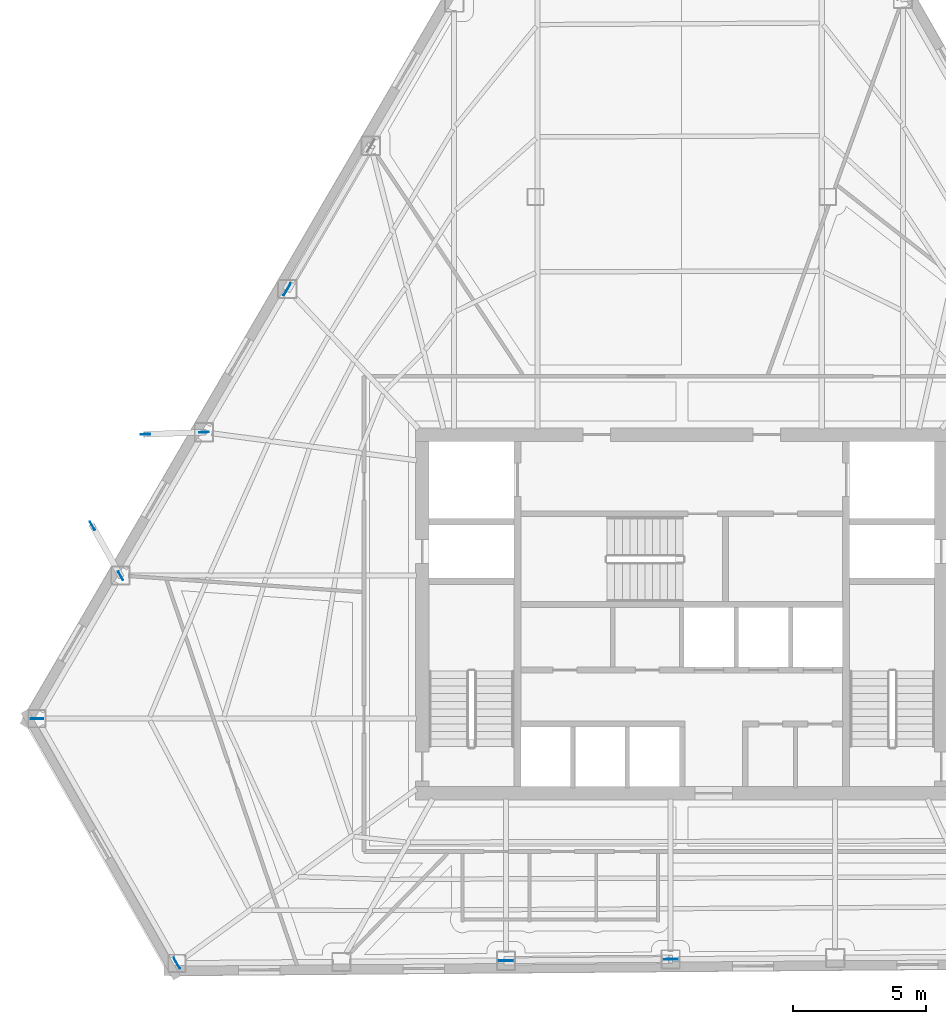
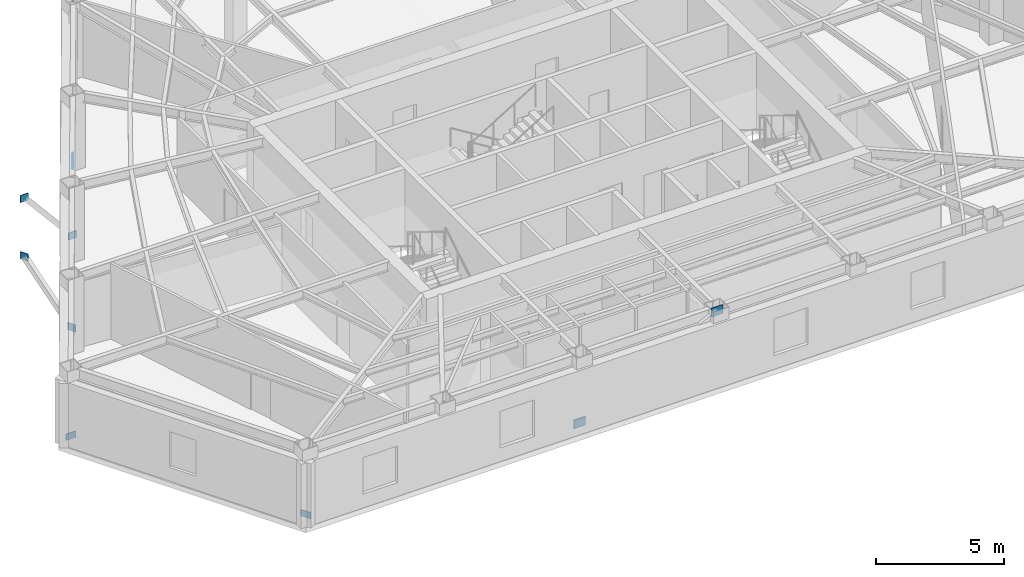
# One storey, part 4 of 12: 9 plates.
"""IFC4 building model written with IfcOpenShell, lengths in metres."""

from ifc_helpers import new_model, si_unit, direction, frame, origin, origin_2d, place, context, subcontext, project, spatial, rectangle, extrude, material, layer, layer_set, type_object, element, save


model = new_model("IFC4")

# Units and contexts
model_context = context("Model", 3, precision=1e-05, world=origin(), true_north=direction((0.0, 1.0)))
body_context = subcontext(model_context, "Body", "Model", "MODEL_VIEW")
ifc_project = project(units=[si_unit("LENGTHUNIT", "METRE"), si_unit("AREAUNIT", "SQUARE_METRE"), si_unit("VOLUMEUNIT", "CUBIC_METRE"), si_unit("PLANEANGLEUNIT", "RADIAN"), si_unit("MASSUNIT", "GRAM", prefix="KILO")], contexts=[model_context])

# Site, building, storey
site_placement = place(None, origin())
site = spatial("IfcSite", under=ifc_project, at=site_placement, CompositionType="ELEMENT")
building_placement = place(site_placement, origin())
building = spatial("IfcBuilding", under=site, at=building_placement, Name="Kavelnor Concourse Tower", CompositionType="ELEMENT")
storey_placement = place(building_placement, frame((0.0, 0.0, 147.10009765625)))
storey = spatial("IfcBuildingStorey", under=building, at=storey_placement, Name="L37", CompositionType="ELEMENT", Elevation=147.10009765625)

# Plates
ifc_material = material(Name="Steel Grade 350", Category="steel")
ifc_layer_1 = layer(ifc_material, 0.028076171875, Name="Steel Grade 350")
ifc_layer_set_1 = layer_set([ifc_layer_1], Name="Steel Grade 350")
plate_type_1 = type_object("IfcPlateType", Name="PL-GUSSET-FOLD", PredefinedType="USERDEFINED", material=ifc_layer_set_1)
for number, where, z_axis, x_axis, name in (
    (1, (13.721435546875, 12.155029296875, 0.10009765625), (0.0, 0.0, 1.0), (1.0, 0.0, 0.0), "L37 Herringbone Corner-Fold Kink Gusset Plate F0-B6"),
    (2, (18.990234375, 2.943359375, 0.10009765625), (0.0, 0.0, 1.0), (-0.5, 0.866025403784, 0.0), "L37 Herringbone Corner-Fold Kink Gusset Plate F1-B0"),
):
    element("IfcPlate", number, at=place(storey_placement, frame(where, z_axis=z_axis, x_axis=x_axis)), inside=storey, type_object=plate_type_1, Name=name, ObjectType="GUSSET_PLATE", PredefinedType="USERDEFINED", context=body_context, shape_type="SweptSolid", body=[
        extrude(rectangle(XDim=0.4599609375, YDim=0.028076171875, at=origin_2d()), origin(), (0.0, 0.0, 1.0), 0.300048828125),
    ])
for number, where, z_axis, x_axis, name in (
    (3, (20.017578125, 22.93994140625, 0.8798828125), (0.0, 0.0, 1.0), (-0.999384720686, -0.035073922775, 0.0), "L37 Balcony Strut Gusset GP4 2-A End Gusset A"),
    (4, (17.807861328125, 22.862548828125, 3.48486328125), (0.0, 0.0, 1.0), (-0.999384720686, -0.035073922775, 0.0), "L37 Balcony Strut Gusset GP4 2-A End Gusset B"),
    (5, (16.869384765625, 17.536865234375, 0.8798828125), (0.0, 0.0, 1.0), (-0.491967775447, 0.870613408995, 0.0), "L37 Balcony Strut Gusset GP4 2-B End Gusset A"),
    (6, (15.810302734375, 19.411376953125, 3.48486328125), (0.0, 0.0, 1.0), (-0.491967775447, 0.870613408995, 0.0), "L37 Balcony Strut Gusset GP4 2-B End Gusset B"),
):
    element("IfcPlate", number, at=place(storey_placement, frame(where, z_axis=z_axis, x_axis=x_axis)), inside=storey, type_object=plate_type_1, Name=name, ObjectType="GUSSET_PLATE", PredefinedType="USERDEFINED", context=body_context, shape_type="SweptSolid", body=[
        extrude(rectangle(XDim=0.360107421875, YDim=0.028076171875, at=origin_2d()), origin(), (0.0, 0.0, 1.0), 0.340087890625),
    ])
ifc_layer_2 = layer(ifc_material, 0.031982421875, Name="Steel Grade 350")
ifc_layer_set_2 = layer_set([ifc_layer_2], Name="Steel Grade 350")
plate_type_2 = type_object("IfcPlateType", Name="PL-GUSSET-TUBE-Z1", PredefinedType="USERDEFINED", material=ifc_layer_set_2)
for number, where, z_axis, x_axis, name in (
    (7, (23.141845703125, 28.3212890625, 0.010009765625), (0.0, 0.0, 1.0), (0.503472410885, 0.864011302865, 0.0), "L37 Tube Brace Gusset GP3 F0-B2 End Gusset A"),
    (8, (31.370849609375, 3.043212890625, 0.010009765625), (0.0, 0.0, 1.0), (0.99996777165, 0.00802842831, 0.0), "L37 Tube Brace Gusset GP3 F1-B2 End Gusset A"),
    (9, (37.591064453125, 3.093505859375, 3.12353515625), (0.0, 0.0, 1.0), (0.99996777165, 0.00802842831, 0.0), "L37 Tube Brace Gusset GP3 F1-B2 End Gusset B"),
):
    element("IfcPlate", number, at=place(storey_placement, frame(where, z_axis=z_axis, x_axis=x_axis)), inside=storey, type_object=plate_type_2, Name=name, ObjectType="GUSSET_PLATE", PredefinedType="USERDEFINED", context=body_context, shape_type="SweptSolid", body=[
        extrude(rectangle(XDim=0.52001953125, YDim=0.031982421875, at=origin_2d()), origin(), (0.0, 0.0, 1.0), 0.419921875),
    ])

save(model, "model.ifc")
